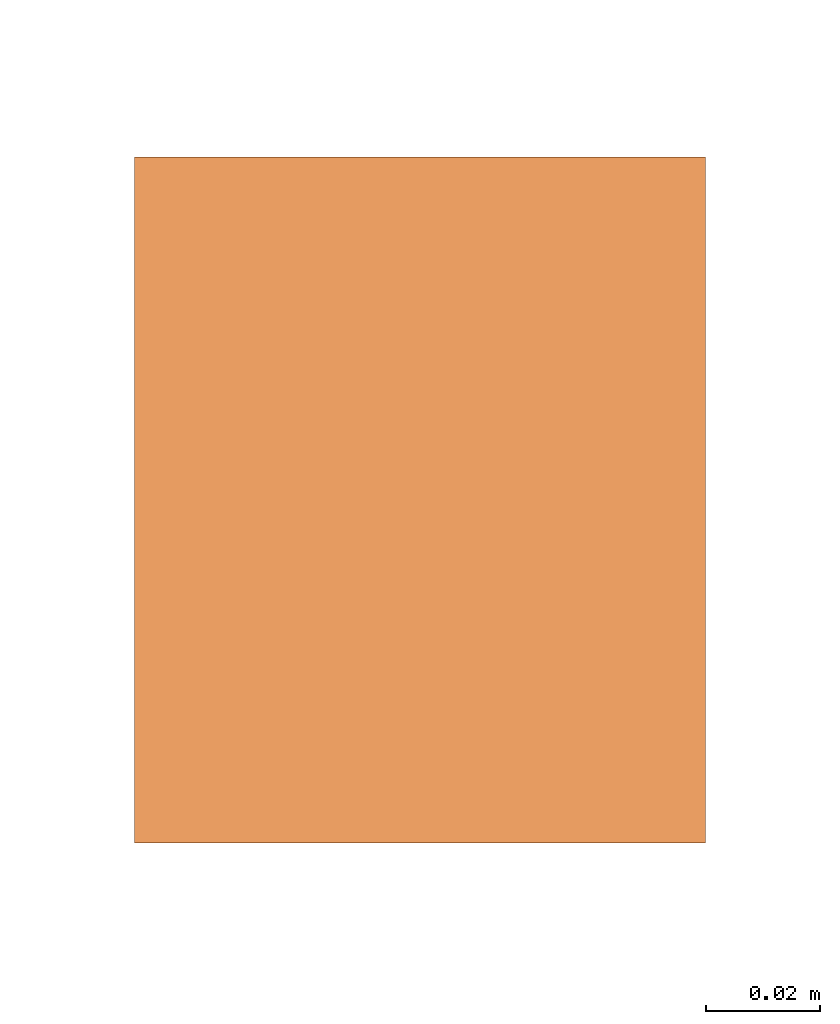
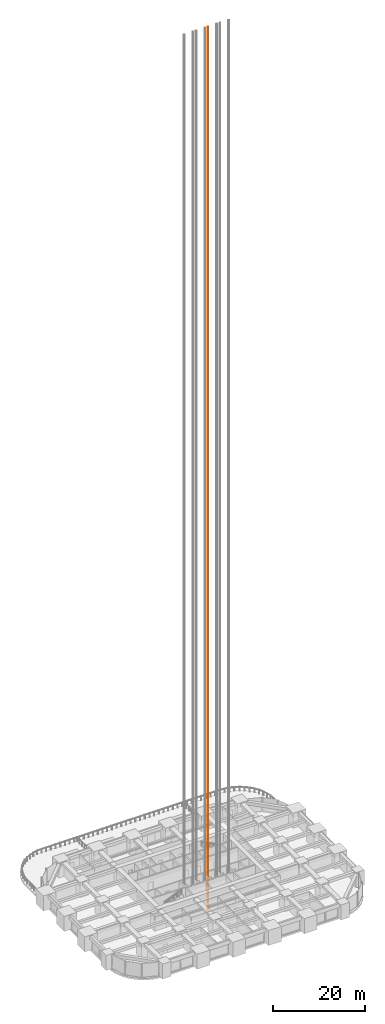
# One storey, part 47 of 50: 1 proxy.
"""IFC4 building model written with IfcOpenShell, lengths in metres."""

from ifc_helpers import new_model, si_unit, direction, frame, origin, origin_2d, place, context, subcontext, project, spatial, rectangle, extrude, element, save


model = new_model("IFC4")

# Units and contexts
model_context = context("Model", 3, precision=1e-05, world=origin(), true_north=direction((0.0, 1.0)))
body_context = subcontext(model_context, "Body", "Model", "MODEL_VIEW")
ifc_project = project(units=[si_unit("LENGTHUNIT", "METRE"), si_unit("AREAUNIT", "SQUARE_METRE"), si_unit("VOLUMEUNIT", "CUBIC_METRE"), si_unit("PLANEANGLEUNIT", "RADIAN"), si_unit("MASSUNIT", "GRAM", prefix="KILO")], contexts=[model_context])

# Site, building, storey
site_placement = place(None, origin())
site = spatial("IfcSite", under=ifc_project, at=site_placement, CompositionType="ELEMENT")
building_placement = place(site_placement, origin())
building = spatial("IfcBuilding", under=site, at=building_placement, Name="Zorevar Civic Tower", CompositionType="ELEMENT")
storey_placement = place(building_placement, frame((0.0, 0.0, 85.0)))
storey = spatial("IfcBuildingStorey", under=building, at=storey_placement, Name="L20", CompositionType="ELEMENT", Elevation=85.0)

# Proxy
proxy_placement = place(storey_placement, frame((33.39990234375, 23.10009765625, -5.0), z_axis=(0.0, 0.0, 1.0), x_axis=(1.0, 0.0, 0.0)))
element("IfcBuildingElementProxy", 1, at=proxy_placement, inside=storey, Name="Passenger lift LT3 guide rail 1", PredefinedType="NOTDEFINED", context=body_context, shape_type="SweptSolid", body=[
    extrude(rectangle(XDim=0.10009765625, YDim=0.1201171875, at=origin_2d()), origin(), (0.0, 0.0, 1.0), 235.300048828125),
])

save(model, "model.ifc")
